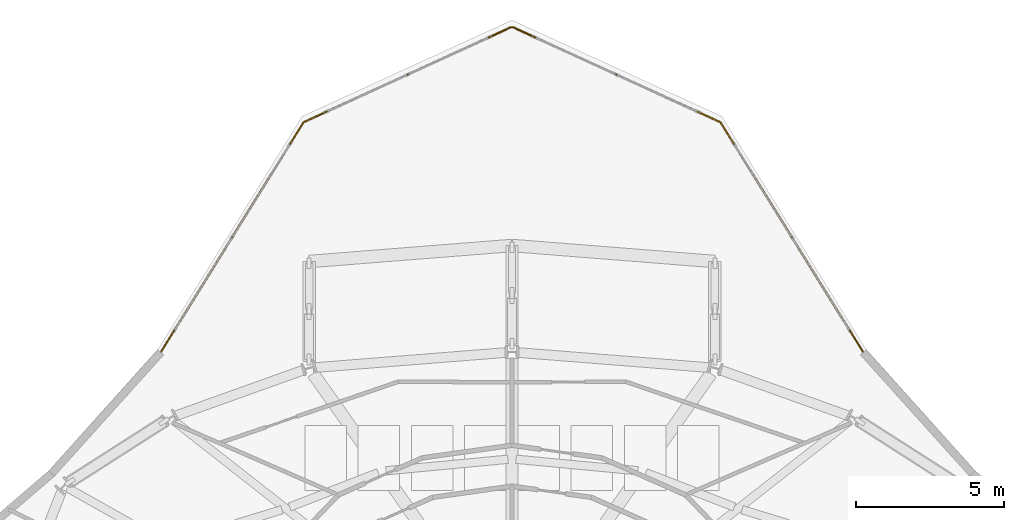
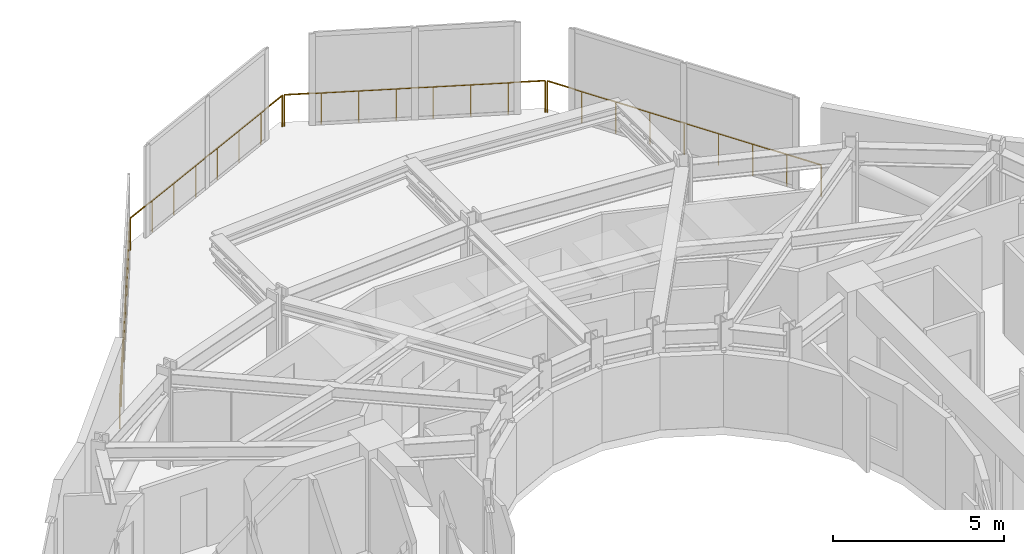
# One storey, part 19 of 19: 4 railings.
"""IFC4 building model written with IfcOpenShell, lengths in metres."""

from ifc_helpers import new_model, si_unit, direction, frame, origin, origin_2d, place, context, subcontext, project, spatial, circle, extrude, material, type_object, element, save


model = new_model("IFC4")

# Units and contexts
model_context = context("Model", 3, precision=1e-05, world=origin(), true_north=direction((0.0, 1.0)))
body_context = subcontext(model_context, "Body", "Model", "MODEL_VIEW")
ifc_project = project(units=[si_unit("LENGTHUNIT", "METRE"), si_unit("AREAUNIT", "SQUARE_METRE"), si_unit("VOLUMEUNIT", "CUBIC_METRE"), si_unit("PLANEANGLEUNIT", "RADIAN"), si_unit("MASSUNIT", "GRAM", prefix="KILO")], contexts=[model_context])

# Site, building, storey
site_placement = place(None, origin())
site = spatial("IfcSite", under=ifc_project, at=site_placement, CompositionType="ELEMENT")
building_placement = place(site_placement, origin())
building = spatial("IfcBuilding", under=site, at=building_placement, Name="Solvane Sanctuary Tower", CompositionType="ELEMENT")
storey_placement = place(building_placement, frame((0.0, 0.0, 242.39990234375)))
storey = spatial("IfcBuildingStorey", under=building, at=storey_placement, Name="L74", CompositionType="ELEMENT", Elevation=242.39990234375)

# Railings
ifc_material = material(Name="Architectural Stainless Steel 316", Category="steel")
railing_type = type_object("IfcRailingType", Name="Railing GR-BALC-1150", PredefinedType="BALUSTRADE", material=ifc_material)
railing_1_placement = place(storey_placement, frame((43.854248046875, 38.695556640625, 0.0)))
element("IfcRailing", 1, at=railing_1_placement, inside=storey, type_object=railing_type, Name="L74 Curtain-Wall Perimeter Sill Guard 04", PredefinedType="BALUSTRADE", context=body_context, shape_type="SweptSolid", body=[
    extrude(circle(Radius=0.02392578125, at=origin_2d()), frame((0.0, 0.0, 1.1259765625), z_axis=(-0.527392269957, 0.84962191214, 0.0), x_axis=(-0.84962191214, -0.527392269957, 0.0)), (0.0, 0.0, 1.0), 9.0927734375),
    extrude(circle(Radius=0.02099609375, at=origin_2d()), origin(), (0.0, 0.0, 1.0), 1.101806640625),
    extrude(circle(Radius=0.02099609375, at=origin_2d()), frame((-0.599365234375, 0.965576171875, 0.0)), (0.0, 0.0, 1.0), 1.101806640625),
    extrude(circle(Radius=0.02099609375, at=origin_2d()), frame((-1.19873046875, 1.931396484375, 0.0)), (0.0, 0.0, 1.0), 1.101806640625),
    extrude(circle(Radius=0.02099609375, at=origin_2d()), frame((-1.79833984375, 2.89697265625, 0.0)), (0.0, 0.0, 1.0), 1.101806640625),
    extrude(circle(Radius=0.02099609375, at=origin_2d()), frame((-2.397705078125, 3.86279296875, 0.0)), (0.0, 0.0, 1.0), 1.101806640625),
    extrude(circle(Radius=0.02099609375, at=origin_2d()), frame((-2.9970703125, 4.828369140625, 0.0)), (0.0, 0.0, 1.0), 1.101806640625),
    extrude(circle(Radius=0.02099609375, at=origin_2d()), frame((-3.5966796875, 5.7939453125, 0.0)), (0.0, 0.0, 1.0), 1.101806640625),
    extrude(circle(Radius=0.02099609375, at=origin_2d()), frame((-4.196044921875, 6.759765625, 0.0)), (0.0, 0.0, 1.0), 1.101806640625),
    extrude(circle(Radius=0.02099609375, at=origin_2d()), frame((-4.79541015625, 7.725341796875, 0.0)), (0.0, 0.0, 1.0), 1.101806640625),
])
railing_2_placement = place(storey_placement, frame((39.015625, 46.458984375, 0.0)))
element("IfcRailing", 2, at=railing_2_placement, inside=storey, type_object=railing_type, Name="L74 Curtain-Wall Perimeter Sill Guard 05", PredefinedType="BALUSTRADE", context=body_context, shape_type="SweptSolid", body=[
    extrude(circle(Radius=0.02392578125, at=origin_2d()), frame((0.0, 0.0, 1.1259765625), z_axis=(-0.90926124068, 0.416225895634, 0.0), x_axis=(-0.416225895634, -0.90926124068, 0.0)), (0.0, 0.0, 1.0), 7.685791015625),
    extrude(circle(Radius=0.02099609375, at=origin_2d()), origin(), (0.0, 0.0, 1.0), 1.101806640625),
    extrude(circle(Radius=0.02099609375, at=origin_2d()), frame((-0.998291015625, 0.45703125, 0.0)), (0.0, 0.0, 1.0), 1.101806640625),
    extrude(circle(Radius=0.02099609375, at=origin_2d()), frame((-1.99658203125, 0.9140625, 0.0)), (0.0, 0.0, 1.0), 1.101806640625),
    extrude(circle(Radius=0.02099609375, at=origin_2d()), frame((-2.994873046875, 1.37109375, 0.0)), (0.0, 0.0, 1.0), 1.101806640625),
    extrude(circle(Radius=0.02099609375, at=origin_2d()), frame((-3.993408203125, 1.827880859375, 0.0)), (0.0, 0.0, 1.0), 1.101806640625),
    extrude(circle(Radius=0.02099609375, at=origin_2d()), frame((-4.99169921875, 2.284912109375, 0.0)), (0.0, 0.0, 1.0), 1.101806640625),
    extrude(circle(Radius=0.02099609375, at=origin_2d()), frame((-5.989990234375, 2.741943359375, 0.0)), (0.0, 0.0, 1.0), 1.101806640625),
    extrude(circle(Radius=0.02099609375, at=origin_2d()), frame((-6.98828125, 3.198974609375, 0.0)), (0.0, 0.0, 1.0), 1.101806640625),
])
railing_3_placement = place(storey_placement, frame((31.97265625, 49.657958984375, 0.0)))
element("IfcRailing", 3, at=railing_3_placement, inside=storey, type_object=railing_type, Name="L74 Curtain-Wall Perimeter Sill Guard 06", PredefinedType="BALUSTRADE", context=body_context, shape_type="SweptSolid", body=[
    extrude(circle(Radius=0.02392578125, at=origin_2d()), frame((0.0, 0.0, 1.1259765625), z_axis=(-0.90926124068, -0.416225895634, 0.0), x_axis=(0.416225895634, -0.90926124068, 0.0)), (0.0, 0.0, 1.0), 7.685791015625),
    extrude(circle(Radius=0.02099609375, at=origin_2d()), origin(), (0.0, 0.0, 1.0), 1.101806640625),
    extrude(circle(Radius=0.02099609375, at=origin_2d()), frame((-0.998291015625, -0.45703125, 0.0)), (0.0, 0.0, 1.0), 1.101806640625),
    extrude(circle(Radius=0.02099609375, at=origin_2d()), frame((-1.99658203125, -0.9140625, 0.0)), (0.0, 0.0, 1.0), 1.101806640625),
    extrude(circle(Radius=0.02099609375, at=origin_2d()), frame((-2.994873046875, -1.37109375, 0.0)), (0.0, 0.0, 1.0), 1.101806640625),
    extrude(circle(Radius=0.02099609375, at=origin_2d()), frame((-3.993408203125, -1.827880859375, 0.0)), (0.0, 0.0, 1.0), 1.101806640625),
    extrude(circle(Radius=0.02099609375, at=origin_2d()), frame((-4.99169921875, -2.284912109375, 0.0)), (0.0, 0.0, 1.0), 1.101806640625),
    extrude(circle(Radius=0.02099609375, at=origin_2d()), frame((-5.989990234375, -2.741943359375, 0.0)), (0.0, 0.0, 1.0), 1.101806640625),
    extrude(circle(Radius=0.02099609375, at=origin_2d()), frame((-6.98828125, -3.198974609375, 0.0)), (0.0, 0.0, 1.0), 1.101806640625),
])
railing_4_placement = place(storey_placement, frame((24.941162109375, 46.4208984375, 0.0)))
element("IfcRailing", 4, at=railing_4_placement, inside=storey, type_object=railing_type, Name="L74 Curtain-Wall Perimeter Sill Guard 07", PredefinedType="BALUSTRADE", context=body_context, shape_type="SweptSolid", body=[
    extrude(circle(Radius=0.02392578125, at=origin_2d()), frame((0.0, 0.0, 1.1259765625), z_axis=(-0.527392269957, -0.84962191214, 0.0), x_axis=(0.84962191214, -0.527392269957, 0.0)), (0.0, 0.0, 1.0), 9.0927734375),
    extrude(circle(Radius=0.02099609375, at=origin_2d()), origin(), (0.0, 0.0, 1.0), 1.101806640625),
    extrude(circle(Radius=0.02099609375, at=origin_2d()), frame((-0.599365234375, -0.965576171875, 0.0)), (0.0, 0.0, 1.0), 1.101806640625),
    extrude(circle(Radius=0.02099609375, at=origin_2d()), frame((-1.19873046875, -1.931396484375, 0.0)), (0.0, 0.0, 1.0), 1.101806640625),
    extrude(circle(Radius=0.02099609375, at=origin_2d()), frame((-1.79833984375, -2.89697265625, 0.0)), (0.0, 0.0, 1.0), 1.101806640625),
    extrude(circle(Radius=0.02099609375, at=origin_2d()), frame((-2.397705078125, -3.86279296875, 0.0)), (0.0, 0.0, 1.0), 1.101806640625),
    extrude(circle(Radius=0.02099609375, at=origin_2d()), frame((-2.9970703125, -4.828369140625, 0.0)), (0.0, 0.0, 1.0), 1.101806640625),
    extrude(circle(Radius=0.02099609375, at=origin_2d()), frame((-3.5966796875, -5.7939453125, 0.0)), (0.0, 0.0, 1.0), 1.101806640625),
    extrude(circle(Radius=0.02099609375, at=origin_2d()), frame((-4.196044921875, -6.759765625, 0.0)), (0.0, 0.0, 1.0), 1.101806640625),
    extrude(circle(Radius=0.02099609375, at=origin_2d()), frame((-4.79541015625, -7.725341796875, 0.0)), (0.0, 0.0, 1.0), 1.101806640625),
])

save(model, "model.ifc")
